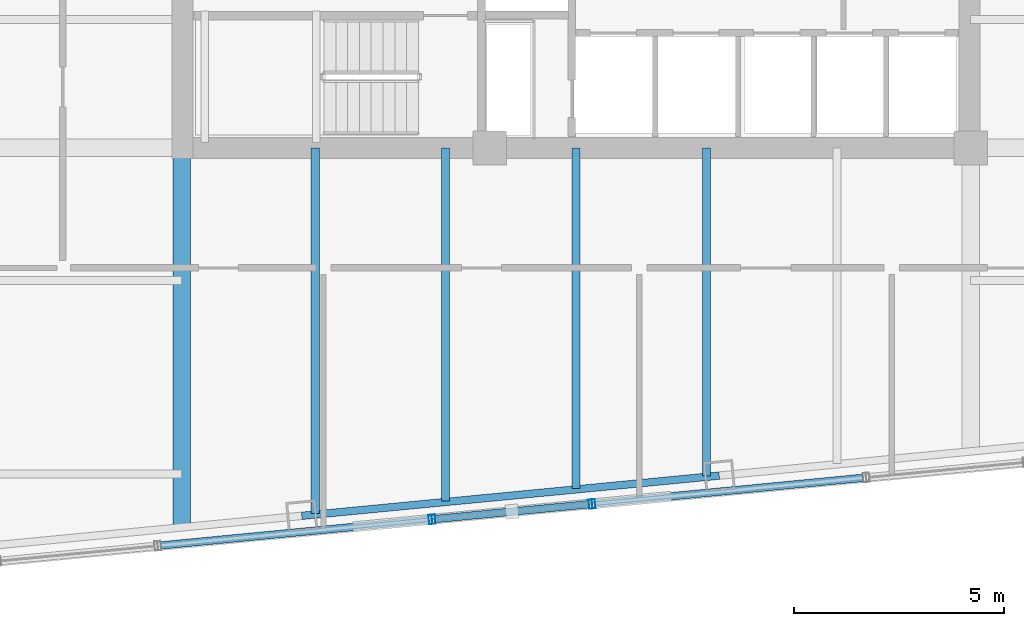
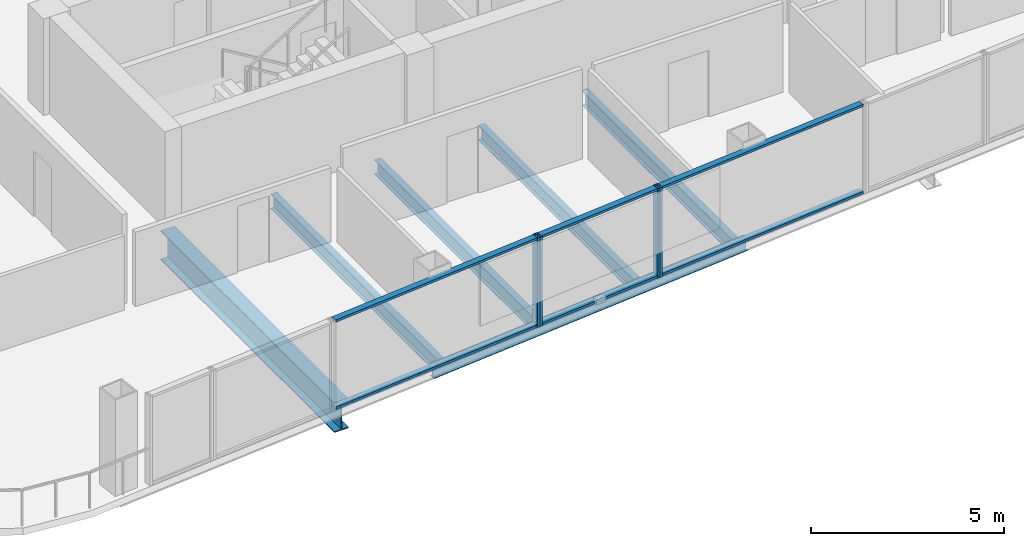
# One storey, part 4 of 22: 10 members, 6 beams, 3 elements without a shape of their own.
"""IFC4 building model written with IfcOpenShell, lengths in metres."""

from ifc_helpers import new_model, si_unit, direction, frame, origin, origin_2d, place, context, subcontext, project, spatial, hollow_rectangle, i_section, extrude, material, layer, layer_set, material_profile, profile_set, type_object, element, aggregate, save


model = new_model("IFC4")

# Units and contexts
model_context = context("Model", 3, precision=1e-05, world=origin(), true_north=direction((0.0, 1.0)))
body_context = subcontext(model_context, "Body", "Model", "MODEL_VIEW")
ifc_project = project(units=[si_unit("LENGTHUNIT", "METRE"), si_unit("AREAUNIT", "SQUARE_METRE"), si_unit("VOLUMEUNIT", "CUBIC_METRE"), si_unit("PLANEANGLEUNIT", "RADIAN"), si_unit("MASSUNIT", "GRAM", prefix="KILO")], contexts=[model_context])

# Site, building, storey
site_placement = place(None, origin())
site = spatial("IfcSite", under=ifc_project, at=site_placement, CompositionType="ELEMENT")
building_placement = place(site_placement, origin())
building = spatial("IfcBuilding", under=site, at=building_placement, Name="Qhalaya Broadcast Tower", CompositionType="ELEMENT")
storey_placement = place(building_placement, frame((0.0, 0.0, 174.449951171875)))
storey = spatial("IfcBuildingStorey", under=building, at=storey_placement, Name="L51", CompositionType="ELEMENT", Elevation=174.449951171875)

# Beams
ifc_material_1 = material(Name="Structural Steel ASTM A992 Grade 50", Category="steel")
ifc_material_profile_1 = material_profile(ifc_material_1, i_section(OverallWidth=0.19189453125, OverallDepth=0.462890625, WebThickness=0.010498046875, FlangeThickness=0.017578125, at=origin_2d()), Name="W18X60")
ifc_profile_set_1 = profile_set([ifc_material_profile_1], Name="Structural Steel ASTM A992 Grade 50")
beam_type_1 = type_object("IfcBeamType", Name="Composite Floor Joist J03", PredefinedType="JOIST", material=ifc_profile_set_1)
beam_1_placement = place(storey_placement, frame((-6.199951171875, -17.441650390625, -0.451416015625), z_axis=(0.0, 1.0, 0.0), x_axis=(-1.0, 0.0, 0.0)))
element("IfcBeam", 1, at=beam_1_placement, inside=storey, type_object=beam_type_1, Name="L51 J03 L51-JNS1-1", PredefinedType="JOIST", context=body_context, shape_type="SweptSolid", body=[
    extrude(i_section(OverallWidth=0.19189453125, OverallDepth=0.462890625, WebThickness=0.010498046875, FlangeThickness=0.017578125, at=origin_2d()), origin(), (0.0, 0.0, 1.0), 8.691650390625),
])
beam_2_placement = place(storey_placement, frame((-3.10009765625, -17.14306640625, -0.451416015625), z_axis=(0.0, 1.0, 0.0), x_axis=(-1.0, 0.0, 0.0)))
element("IfcBeam", 2, at=beam_2_placement, inside=storey, type_object=beam_type_1, Name="L51 J03 L51-JNS2-1", PredefinedType="JOIST", context=body_context, shape_type="SweptSolid", body=[
    extrude(i_section(OverallWidth=0.19189453125, OverallDepth=0.462890625, WebThickness=0.010498046875, FlangeThickness=0.017578125, at=origin_2d()), origin(), (0.0, 0.0, 1.0), 8.39306640625),
])
beam_3_placement = place(storey_placement, frame((0.0, -16.844482421875, -0.451416015625), z_axis=(0.0, 1.0, 0.0), x_axis=(-1.0, 0.0, 0.0)))
element("IfcBeam", 3, at=beam_3_placement, inside=storey, type_object=beam_type_1, Name="L51 J03 L51-JNS3-1", PredefinedType="JOIST", context=body_context, shape_type="SweptSolid", body=[
    extrude(i_section(OverallWidth=0.19189453125, OverallDepth=0.462890625, WebThickness=0.010498046875, FlangeThickness=0.017578125, at=origin_2d()), origin(), (0.0, 0.0, 1.0), 8.094482421875),
])
beam_4_placement = place(storey_placement, frame((3.10009765625, -16.546142578125, -0.451416015625), z_axis=(0.0, 1.0, 0.0), x_axis=(-1.0, 0.0, 0.0)))
element("IfcBeam", 4, at=beam_4_placement, inside=storey, type_object=beam_type_1, Name="L51 J03 L51-JNS4-1", PredefinedType="JOIST", context=body_context, shape_type="SweptSolid", body=[
    extrude(i_section(OverallWidth=0.19189453125, OverallDepth=0.462890625, WebThickness=0.010498046875, FlangeThickness=0.017578125, at=origin_2d()), origin(), (0.0, 0.0, 1.0), 7.796142578125),
])
ifc_material_profile_2 = material_profile(ifc_material_1, i_section(OverallWidth=0.4189453125, OverallDepth=0.927001953125, WebThickness=0.019287109375, FlangeThickness=0.031982421875, at=origin_2d()), Name="W36X231")
ifc_profile_set_2 = profile_set([ifc_material_profile_2], Name="Structural Steel ASTM A992 Grade 50")
beam_type_2 = type_object("IfcBeamType", Name="Mid Block Primary Girder PG3", PredefinedType="USERDEFINED", material=ifc_profile_set_2)
beam_5_placement = place(storey_placement, frame((-9.375, -17.747314453125, -0.683349609375), z_axis=(0.0, 1.0, 0.0), x_axis=(-1.0, 0.0, 0.0)))
element("IfcBeam", 5, at=beam_5_placement, inside=storey, type_object=beam_type_2, Name="L51 PG3 L51-PGXS1-1", ObjectType="GIRDER", PredefinedType="USERDEFINED", context=body_context, shape_type="SweptSolid", body=[
    extrude(i_section(OverallWidth=0.4189453125, OverallDepth=0.927001953125, WebThickness=0.019287109375, FlangeThickness=0.031982421875, at=origin_2d()), origin(), (0.0, 0.0, 1.0), 8.997314453125),
])

# Curtain wall, member
ifc_material_2 = material(Name="Fired Architectural Terracotta", Category="masonry")
ifc_layer_1 = layer(ifc_material_2, 0.219970703125, Name="Fired Architectural Terracotta")
ifc_layer_set_1 = layer_set([ifc_layer_1], Name="Fired Architectural Terracotta")
curtain_wall_type_1 = type_object("IfcCurtainWallType", Name="Block-Cap Unitised Terracotta Spandrel Wall CW-07", PredefinedType="NOTDEFINED", material=ifc_layer_set_1)
curtain_wall_1_placement = place(storey_placement, origin())
curtain_wall_1 = element("IfcCurtainWall", 6, at=curtain_wall_1_placement, inside=storey, type_object=curtain_wall_type_1, Name="L51 Unitised Curtain Wall L51-CW-S3", PredefinedType="NOTDEFINED")
ifc_material_3 = material(Name="Anodised Aluminium 6063-T6", Category="aluminium")
ifc_material_profile_3 = material_profile(ifc_material_3, hollow_rectangle(XDim=0.074951171875, YDim=0.219970703125, WallThickness=0.00390625, at=origin_2d()), Name="ALU-MUL 75x220x4")
ifc_profile_set_3 = profile_set([ifc_material_profile_3], Name="Anodised Aluminium 6063-T6")
member_type_1 = type_object("IfcMemberType", Name="Unitised Curtain-Wall Mullion M01", PredefinedType="MULLION", material=ifc_profile_set_3)
member_1_placement = place(storey_placement, frame((-3.4638671875, -17.580078125, 0.0), z_axis=(0.0, 0.0, 1.0), x_axis=(0.995396395442, 0.095843705796, 0.0)))
member_1 = element("IfcMember", 7, at=member_1_placement, type_object=member_type_1, Name="CW-07 mullion 2", PredefinedType="MULLION", context=body_context, shape_type="SweptSolid", body=[
    extrude(hollow_rectangle(XDim=0.074951171875, YDim=0.219970703125, WallThickness=0.00390625, at=origin_2d()), origin(), (0.0, 0.0, 1.0), 2.830078125),
])

# Curtain wall, members
ifc_material_4 = material(Name="Solar-Control Low-E Triple Glazing", Category="glass")
ifc_layer_2 = layer(ifc_material_4, 0.219970703125, Name="Solar-Control Low-E Triple Glazing")
ifc_layer_set_2 = layer_set([ifc_layer_2], Name="Solar-Control Low-E Triple Glazing")
curtain_wall_type_2 = type_object("IfcCurtainWallType", Name="Even-Block 4-Storey Double-Module Curtain Wall CW-03", PredefinedType="NOTDEFINED", material=ifc_layer_set_2)
curtain_wall_2_placement = place(storey_placement, origin())
curtain_wall_2 = element("IfcCurtainWall", 8, at=curtain_wall_2_placement, inside=storey, type_object=curtain_wall_type_2, Name="L51 Unitised Curtain Wall L51-CW-S4", PredefinedType="NOTDEFINED")
member_2_placement = place(storey_placement, frame((-3.38916015625, -17.57275390625, 0.0), z_axis=(0.0, 0.0, 1.0), x_axis=(0.995394252506, 0.095865958916, 0.0)))
member_2 = element("IfcMember", 9, at=member_2_placement, type_object=member_type_1, Name="CW-03 mullion 1", PredefinedType="MULLION", context=body_context, shape_type="SweptSolid", body=[
    extrude(hollow_rectangle(XDim=0.074951171875, YDim=0.219970703125, WallThickness=0.00390625, at=origin_2d()), origin(), (0.0, 0.0, 1.0), 2.830078125),
])
member_3_placement = place(storey_placement, frame((0.340576171875, -17.213623046875, 0.0), z_axis=(0.0, 0.0, 1.0), x_axis=(0.995394252506, 0.095865958916, 0.0)))
member_3 = element("IfcMember", 10, at=member_3_placement, type_object=member_type_1, Name="CW-03 mullion 2", PredefinedType="MULLION", context=body_context, shape_type="SweptSolid", body=[
    extrude(hollow_rectangle(XDim=0.074951171875, YDim=0.219970703125, WallThickness=0.00390625, at=origin_2d()), origin(), (0.0, 0.0, 1.0), 2.830078125),
])

# Curtain wall, member
curtain_wall_3_placement = place(storey_placement, origin())
curtain_wall_3 = element("IfcCurtainWall", 11, at=curtain_wall_3_placement, inside=storey, type_object=curtain_wall_type_1, Name="L51 Unitised Curtain Wall L51-CW-S5", PredefinedType="NOTDEFINED")
member_4_placement = place(storey_placement, frame((0.415283203125, -17.206298828125, 0.0), z_axis=(0.0, 0.0, 1.0), x_axis=(0.995396255089, 0.095845163439, 0.0)))
member_4 = element("IfcMember", 12, at=member_4_placement, type_object=member_type_1, Name="CW-07 mullion 1", PredefinedType="MULLION", context=body_context, shape_type="SweptSolid", body=[
    extrude(hollow_rectangle(XDim=0.074951171875, YDim=0.219970703125, WallThickness=0.00390625, at=origin_2d()), origin(), (0.0, 0.0, 1.0), 2.830078125),
])

# Member
ifc_material_profile_4 = material_profile(ifc_material_3, hollow_rectangle(XDim=0.074951171875, YDim=0.179931640625, WallThickness=0.00390625, at=origin_2d()), Name="ALU-TRN 75x180x4")
ifc_profile_set_4 = profile_set([ifc_material_profile_4], Name="Anodised Aluminium 6063-T6")
member_type_2 = type_object("IfcMemberType", Name="Unitised Curtain-Wall Transom T01", PredefinedType="USERDEFINED", material=ifc_profile_set_4)
member_5_placement = place(storey_placement, frame((-9.86669921875, -18.196533203125, 0.03759765625), z_axis=(0.995394538627, 0.095862988014, 0.0), x_axis=(0.0, 0.0, 1.0)))
member_5 = element("IfcMember", 13, at=member_5_placement, type_object=member_type_2, Name="CW-07 transom 1.1", ObjectType="TRANSOM", PredefinedType="USERDEFINED", context=body_context, shape_type="SweptSolid", body=[
    extrude(hollow_rectangle(XDim=0.074951171875, YDim=0.179931640625, WallThickness=0.00390625, at=origin_2d()), origin(), (0.0, 0.0, 1.0), 6.39501953125),
])

member_6_placement = place(storey_placement, frame((-9.86669921875, -18.196533203125, 2.79248046875), z_axis=(0.995394538627, 0.095862988014, 0.0), x_axis=(0.0, 0.0, 1.0)))
member_6 = element("IfcMember", 14, at=member_6_placement, type_object=member_type_2, Name="CW-07 transom 1.2", ObjectType="TRANSOM", PredefinedType="USERDEFINED", context=body_context, shape_type="SweptSolid", body=[
    extrude(hollow_rectangle(XDim=0.074951171875, YDim=0.179931640625, WallThickness=0.00390625, at=origin_2d()), origin(), (0.0, 0.0, 1.0), 6.39501953125),
])

aggregate(curtain_wall_1, [member_1, member_5, member_6])

member_7_placement = place(storey_placement, frame((-3.351806640625, -17.569091796875, 0.03759765625), z_axis=(0.995399644298, 0.095809958415, 0.0), x_axis=(0.0, 0.0, 1.0)))
member_7 = element("IfcMember", 15, at=member_7_placement, type_object=member_type_2, Name="CW-03 transom 1.1", ObjectType="TRANSOM", PredefinedType="USERDEFINED", context=body_context, shape_type="SweptSolid", body=[
    extrude(hollow_rectangle(XDim=0.074951171875, YDim=0.179931640625, WallThickness=0.00390625, at=origin_2d()), origin(), (0.0, 0.0, 1.0), 3.671875),
])

member_8_placement = place(storey_placement, frame((-3.351806640625, -17.569091796875, 2.79248046875), z_axis=(0.995399644298, 0.095809958415, 0.0), x_axis=(0.0, 0.0, 1.0)))
member_8 = element("IfcMember", 16, at=member_8_placement, type_object=member_type_2, Name="CW-03 transom 1.2", ObjectType="TRANSOM", PredefinedType="USERDEFINED", context=body_context, shape_type="SweptSolid", body=[
    extrude(hollow_rectangle(XDim=0.074951171875, YDim=0.179931640625, WallThickness=0.00390625, at=origin_2d()), origin(), (0.0, 0.0, 1.0), 3.671875),
])

aggregate(curtain_wall_2, [member_2, member_3, member_7, member_8])

member_9_placement = place(storey_placement, frame((0.45263671875, -17.202880859375, 0.03759765625), z_axis=(0.995394538627, 0.095862988014, 0.0), x_axis=(0.0, 0.0, 1.0)))
member_9 = element("IfcMember", 17, at=member_9_placement, type_object=member_type_2, Name="CW-07 transom 1.1", ObjectType="TRANSOM", PredefinedType="USERDEFINED", context=body_context, shape_type="SweptSolid", body=[
    extrude(hollow_rectangle(XDim=0.074951171875, YDim=0.179931640625, WallThickness=0.00390625, at=origin_2d()), origin(), (0.0, 0.0, 1.0), 6.39501953125),
])

member_10_placement = place(storey_placement, frame((0.45263671875, -17.202880859375, 2.79248046875), z_axis=(0.995394538627, 0.095862988014, 0.0), x_axis=(0.0, 0.0, 1.0)))
member_10 = element("IfcMember", 18, at=member_10_placement, type_object=member_type_2, Name="CW-07 transom 1.2", ObjectType="TRANSOM", PredefinedType="USERDEFINED", context=body_context, shape_type="SweptSolid", body=[
    extrude(hollow_rectangle(XDim=0.074951171875, YDim=0.179931640625, WallThickness=0.00390625, at=origin_2d()), origin(), (0.0, 0.0, 1.0), 6.39501953125),
])

aggregate(curtain_wall_3, [member_4, member_9, member_10])

# Beam
ifc_material_profile_5 = material_profile(ifc_material_1, i_section(OverallWidth=0.177978515625, OverallDepth=0.406005859375, WebThickness=0.0078125, FlangeThickness=0.0126953125, at=origin_2d()), Name="W16X40")
ifc_profile_set_5 = profile_set([ifc_material_profile_5], Name="Structural Steel ASTM A992 Grade 50")
beam_type_3 = type_object("IfcBeamType", Name="Upper Perimeter Spandrel Beam SP2", PredefinedType="SPANDREL", material=ifc_profile_set_5)
beam_6_placement = place(storey_placement, frame((-6.521240234375, -17.49267578125, -0.4228515625), z_axis=(0.99539573508, 0.095850563819, 0.0), x_axis=(-0.095850563819, 0.99539573508, 0.0)))
element("IfcBeam", 19, at=beam_6_placement, inside=storey, type_object=beam_type_3, Name="L51 SP2 L51-SPR-02", PredefinedType="SPANDREL", context=body_context, shape_type="SweptSolid", body=[
    extrude(i_section(OverallWidth=0.177978515625, OverallDepth=0.406005859375, WebThickness=0.0078125, FlangeThickness=0.0126953125, at=origin_2d()), origin(), (0.0, 0.0, 1.0), 9.966796875),
])

save(model, "model.ifc")
